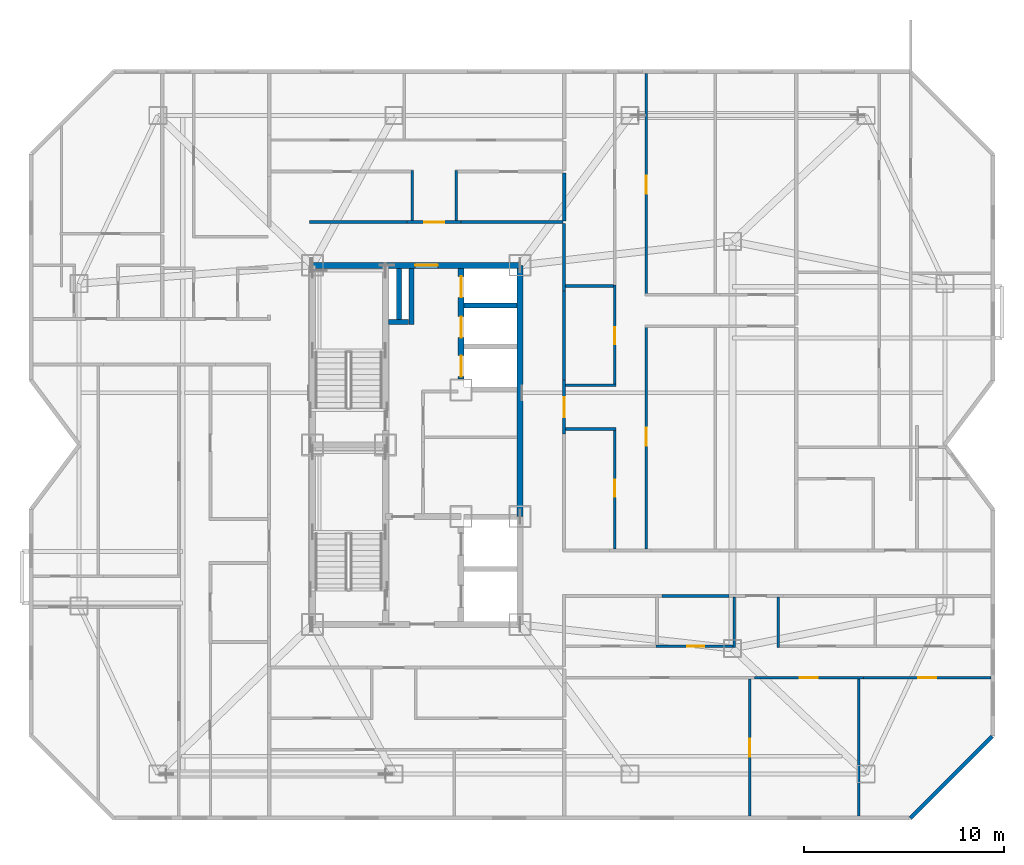
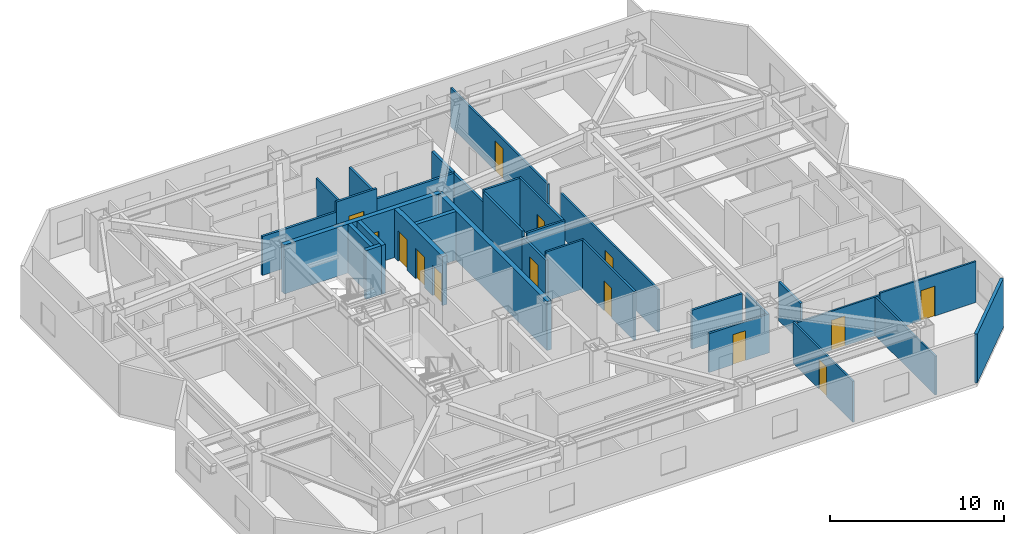
# One storey, part 8 of 12: 32 walls, 14 doors, 14 openings.
"""IFC4 building model written with IfcOpenShell, lengths in metres."""

from ifc_helpers import new_model, si_unit, direction, frame, frame_2d, origin, place, context, subcontext, project, spatial, rectangle, extrude, material, layer, layer_set, type_object, element, fill, save


model = new_model("IFC4")

# Units and contexts
model_context = context("Model", 3, precision=1e-05, world=origin(), true_north=direction((0.0, 1.0)))
body_context = subcontext(model_context, "Body", "Model", "MODEL_VIEW")
ifc_project = project(units=[si_unit("LENGTHUNIT", "METRE"), si_unit("AREAUNIT", "SQUARE_METRE"), si_unit("VOLUMEUNIT", "CUBIC_METRE"), si_unit("PLANEANGLEUNIT", "RADIAN"), si_unit("MASSUNIT", "GRAM", prefix="KILO")], contexts=[model_context])

# Site, building, storey
site_placement = place(None, origin())
site = spatial("IfcSite", under=ifc_project, at=site_placement, CompositionType="ELEMENT")
building_placement = place(site_placement, origin())
building = spatial("IfcBuilding", under=site, at=building_placement, Name="Khamvora Tower", CompositionType="ELEMENT")
storey_placement = place(building_placement, frame((0.0, 0.0, 177.800048828125)))
storey = spatial("IfcBuildingStorey", under=building, at=storey_placement, Name="L45", CompositionType="ELEMENT", Elevation=177.800048828125)

# Wall, opening, door
ifc_material_1 = material(Name="Concrete C50/60", Category="concrete")
ifc_layer_1 = layer(ifc_material_1, 0.300048828125)
ifc_layer_set_1 = layer_set([ifc_layer_1], Name="Concrete C50/60")
wall_type_1 = type_object("IfcWallType", Name="WAL-CORE-300", PredefinedType="SHEAR", material=ifc_layer_set_1)
wall_1_placement = place(storey_placement, frame((29.0, 37.0, 0.0), z_axis=(0.0, 0.0, 1.0), x_axis=(1.0, 0.0, 0.0)))
wall_1 = element("IfcWall", 1, at=wall_1_placement, inside=storey, type_object=wall_type_1, Name="L45 central core north wall", PredefinedType="SHEAR", context=body_context, shape_type="SweptSolid", body=[
    extrude(rectangle(XDim=10.39990234375, YDim=0.300048828125, at=frame_2d((5.199951171875, 0.0))), origin(), (0.0, 0.0, 1.0), 3.429931640625),
])
opening_1_placement = place(wall_1_placement, frame((5.139892578125, 0.0, 0.0)))
opening_1 = element("IfcOpeningElement", 2, at=opening_1_placement, cuts=wall_1, Name="Opening D-SC1", PredefinedType="OPENING", context=body_context, shape_type="SweptSolid", body=[
    extrude(rectangle(XDim=1.14990234375, YDim=2.199951171875, at=frame_2d((0.574951171875, 1.10009765625))), frame((0.0, 0.159912109375, 0.0), z_axis=(0.0, -1.0, 0.0), x_axis=(1.0, 0.0, 0.0)), (0.0, 0.0, 1.0), 0.320068359375),
])
ifc_material_2 = material(Name="Powder-Coated Steel and Hardwood Leaf", Category="steel")
door_type_1 = type_object("IfcDoorType", Name="DOR-SCHL-1150", OperationType="NOTDEFINED", PredefinedType="DOOR", material=ifc_material_2)
door_1_placement = place(opening_1_placement, origin())
door_1 = element("IfcDoor", 3, at=door_1_placement, inside=storey, type_object=door_type_1, Name="L45 north core lobby to corridor fire door", OperationType="SINGLE_SWING_LEFT", OverallHeight=2.199951171875, OverallWidth=1.14990234375, PredefinedType="DOOR", context=body_context, shape_type="SweptSolid", body=[
    extrude(rectangle(XDim=1.14990234375, YDim=2.199951171875, at=frame_2d((0.574951171875, 1.10009765625))), frame((0.0, 0.02490234375, 0.0), z_axis=(0.0, -1.0, 0.0), x_axis=(1.0, 0.0, 0.0)), (0.0, 0.0, 1.0), 0.050048828125),
])
fill(opening_1, door_1)

# Wall
wall_2_placement = place(storey_placement, frame((39.39990234375, 24.39990234375, 0.0), z_axis=(0.0, 0.0, 1.0), x_axis=(0.0, 1.0, 0.0)))
element("IfcWall", 4, at=wall_2_placement, inside=storey, type_object=wall_type_1, Name="L45 central core east north wall", PredefinedType="SHEAR", context=body_context, shape_type="SweptSolid", body=[
    extrude(rectangle(XDim=12.60009765625, YDim=0.300048828125, at=frame_2d((6.300048828125, 0.0))), origin(), (0.0, 0.0, 1.0), 3.429931640625),
])

# Wall, openings, doors
wall_3_placement = place(storey_placement, frame((36.449951171875, 31.300048828125, 0.0), z_axis=(0.0, 0.0, 1.0), x_axis=(0.0, 1.0, 0.0)))
wall_3 = element("IfcWall", 5, at=wall_3_placement, inside=storey, type_object=wall_type_1, Name="L45 central core lift bank central wall", PredefinedType="SHEAR", context=body_context, shape_type="SweptSolid", body=[
    extrude(rectangle(XDim=5.5458984375, YDim=0.300048828125, at=frame_2d((2.77294921875, 0.0))), origin(), (0.0, 0.0, 1.0), 3.429931640625),
])
opening_2_placement = place(wall_3_placement, frame((0.1201171875, 0.0, 0.0)))
opening_2 = element("IfcOpeningElement", 6, at=opening_2_placement, cuts=wall_3, Name="Opening LD-PL", PredefinedType="OPENING", context=body_context, shape_type="SweptSolid", body=[
    extrude(rectangle(XDim=1.050048828125, YDim=2.14990234375, at=frame_2d((0.52490234375, 1.074951171875))), frame((0.0, 0.159912109375, 0.0), z_axis=(0.0, -1.0, 0.0), x_axis=(1.0, 0.0, 0.0)), (0.0, 0.0, 1.0), 0.320068359375),
])
opening_3_placement = place(wall_3_placement, frame((2.074951171875, 0.0, 0.0)))
opening_3 = element("IfcOpeningElement", 7, at=opening_3_placement, cuts=wall_3, Name="Opening LD-PL", PredefinedType="OPENING", context=body_context, shape_type="SweptSolid", body=[
    extrude(rectangle(XDim=1.050048828125, YDim=2.14990234375, at=frame_2d((0.52490234375, 1.074951171875))), frame((0.0, 0.159912109375, 0.0), z_axis=(0.0, -1.0, 0.0), x_axis=(1.0, 0.0, 0.0)), (0.0, 0.0, 1.0), 0.320068359375),
])
opening_4_placement = place(wall_3_placement, frame((4.094970703125, 0.0, 0.0)))
opening_4 = element("IfcOpeningElement", 8, at=opening_4_placement, cuts=wall_3, Name="Opening LD-PL", PredefinedType="OPENING", context=body_context, shape_type="SweptSolid", body=[
    extrude(rectangle(XDim=1.050048828125, YDim=2.14990234375, at=frame_2d((0.52490234375, 1.074951171875))), frame((0.0, 0.159912109375, 0.0), z_axis=(0.0, -1.0, 0.0), x_axis=(1.0, 0.0, 0.0)), (0.0, 0.0, 1.0), 0.320068359375),
])
door_type_2 = type_object("IfcDoorType", Name="DOR-LIFT-1050", OperationType="SLIDING_TO_LEFT", PredefinedType="DOOR", material=ifc_material_2)
door_2_placement = place(opening_2_placement, origin())
door_2 = element("IfcDoor", 9, at=door_2_placement, inside=storey, type_object=door_type_2, Name="L45 lift landing sliding door PH-01", OperationType="SLIDING_TO_LEFT", OverallHeight=2.14990234375, OverallWidth=1.050048828125, PredefinedType="DOOR", context=body_context, shape_type="SweptSolid", body=[
    extrude(rectangle(XDim=1.050048828125, YDim=2.14990234375, at=frame_2d((0.52490234375, 1.074951171875))), frame((0.0, 0.02490234375, 0.0), z_axis=(0.0, -1.0, 0.0), x_axis=(1.0, 0.0, 0.0)), (0.0, 0.0, 1.0), 0.050048828125),
])
fill(opening_2, door_2)
door_3_placement = place(opening_3_placement, origin())
door_3 = element("IfcDoor", 10, at=door_3_placement, inside=storey, type_object=door_type_2, Name="L45 lift landing sliding door PH-02", OperationType="SLIDING_TO_LEFT", OverallHeight=2.14990234375, OverallWidth=1.050048828125, PredefinedType="DOOR", context=body_context, shape_type="SweptSolid", body=[
    extrude(rectangle(XDim=1.050048828125, YDim=2.14990234375, at=frame_2d((0.52490234375, 1.074951171875))), frame((0.0, 0.02490234375, 0.0), z_axis=(0.0, -1.0, 0.0), x_axis=(1.0, 0.0, 0.0)), (0.0, 0.0, 1.0), 0.050048828125),
])
fill(opening_3, door_3)
door_4_placement = place(opening_4_placement, origin())
door_4 = element("IfcDoor", 11, at=door_4_placement, inside=storey, type_object=door_type_2, Name="L45 lift landing sliding door PH-03", OperationType="SLIDING_TO_LEFT", OverallHeight=2.14990234375, OverallWidth=1.050048828125, PredefinedType="DOOR", context=body_context, shape_type="SweptSolid", body=[
    extrude(rectangle(XDim=1.050048828125, YDim=2.14990234375, at=frame_2d((0.52490234375, 1.074951171875))), frame((0.0, 0.02490234375, 0.0), z_axis=(0.0, -1.0, 0.0), x_axis=(1.0, 0.0, 0.0)), (0.0, 0.0, 1.0), 0.050048828125),
])
fill(opening_4, door_4)

# Wall, opening, door
ifc_material_3 = material(Name="Fire-Rated Drywall and Steel Stud", Category="steel")
ifc_layer_2 = layer(ifc_material_3, 0.14990234375)
ifc_layer_set_2 = layer_set([ifc_layer_2], Name="Fire-Rated Drywall and Steel Stud")
wall_type_2 = type_object("IfcWallType", Name="WAL-CORR-150", PredefinedType="STANDARD", material=ifc_layer_set_2)
wall_4_placement = place(storey_placement, frame((33.75, 39.1650390625, 0.0), z_axis=(0.0, 0.0, 1.0), x_axis=(1.0, 0.0, 0.0)))
wall_4 = element("IfcWall", 12, at=wall_4_placement, inside=storey, type_object=wall_type_2, Name="L45 interior partition wall 022", PredefinedType="STANDARD", context=body_context, shape_type="SweptSolid", body=[
    extrude(rectangle(XDim=2.697998046875, YDim=0.14990234375, at=frame_2d((1.34912109375, 0.0))), origin(), (0.0, 0.0, 1.0), 3.429931640625),
])
opening_5_placement = place(wall_4_placement, frame((0.84912109375, 0.0, 0.0)))
opening_5 = element("IfcOpeningElement", 13, at=opening_5_placement, cuts=wall_4, Name="Opening D-U1", PredefinedType="OPENING", context=body_context, shape_type="SweptSolid", body=[
    extrude(rectangle(XDim=1.0, YDim=2.14990234375, at=frame_2d((0.5, 1.074951171875))), frame((0.0, 0.0849609375, 0.0), z_axis=(0.0, -1.0, 0.0), x_axis=(1.0, 0.0, 0.0)), (0.0, 0.0, 1.0), 0.169921875),
])
door_type_3 = type_object("IfcDoorType", Name="DOR-UNIT-1000", OperationType="NOTDEFINED", PredefinedType="DOOR", material=ifc_material_2)
door_5_placement = place(opening_5_placement, origin())
door_5 = element("IfcDoor", 14, at=door_5_placement, inside=storey, type_object=door_type_3, Name="L45 interior door COR-45NAH", OperationType="SINGLE_SWING_RIGHT", OverallHeight=2.14990234375, OverallWidth=1.0, PredefinedType="DOOR", context=body_context, shape_type="SweptSolid", body=[
    extrude(rectangle(XDim=1.0, YDim=2.14990234375, at=frame_2d((0.5, 1.074951171875))), frame((0.0, 0.02490234375, 0.0), z_axis=(0.0, -1.0, 0.0), x_axis=(1.0, 0.0, 0.0)), (0.0, 0.0, 1.0), 0.050048828125),
])
fill(opening_5, door_5)

# Walls
wall_5_placement = place(storey_placement, frame((36.447998046875, 39.1650390625, 0.0), z_axis=(0.0, 0.0, 1.0), x_axis=(1.0, 0.0, 0.0)))
element("IfcWall", 15, at=wall_5_placement, inside=storey, type_object=wall_type_2, Name="L45 interior partition wall 023", PredefinedType="STANDARD", context=body_context, shape_type="SweptSolid", body=[
    extrude(rectangle(XDim=5.10205078125, YDim=0.14990234375, at=frame_2d((2.551025390625, 0.0))), origin(), (0.0, 0.0, 1.0), 2.724853515625),
])
wall_6_placement = place(storey_placement, frame((28.85009765625, 39.1650390625, 0.0), z_axis=(0.0, 0.0, 1.0), x_axis=(1.0, 0.0, 0.0)))
element("IfcWall", 16, at=wall_6_placement, inside=storey, type_object=wall_type_2, Name="L45 interior partition wall 024", PredefinedType="STANDARD", context=body_context, shape_type="SweptSolid", body=[
    extrude(rectangle(XDim=4.89990234375, YDim=0.14990234375, at=frame_2d((2.449951171875, 0.0))), origin(), (0.0, 0.0, 1.0), 2.724853515625),
])
wall_7_placement = place(storey_placement, frame((49.885986328125, 20.43505859375, 0.0), z_axis=(0.0, 0.0, 1.0), x_axis=(-1.0, 0.0, 0.0)))
element("IfcWall", 17, at=wall_7_placement, inside=storey, type_object=wall_type_2, Name="L45 interior partition wall 030", PredefinedType="STANDARD", context=body_context, shape_type="SweptSolid", body=[
    extrude(rectangle(XDim=3.366943359375, YDim=0.14990234375, at=frame_2d((1.68359375, 0.0))), origin(), (0.0, 0.0, 1.0), 2.724853515625),
])
wall_8_placement = place(storey_placement, frame((41.614990234375, 39.10009765625, 0.0), z_axis=(0.0, 0.0, 1.0), x_axis=(0.0, -1.0, 0.0)))
element("IfcWall", 18, at=wall_8_placement, inside=storey, type_object=wall_type_2, Name="L45 interior partition wall 032", PredefinedType="STANDARD", context=body_context, shape_type="SweptSolid", body=[
    extrude(rectangle(XDim=3.39306640625, YDim=0.14990234375, at=frame_2d((1.696533203125, 0.0))), origin(), (0.0, 0.0, 1.0), 2.724853515625),
])

# Wall, opening, door
wall_9_placement = place(storey_placement, frame((41.614990234375, 31.239990234375, 0.0), z_axis=(0.0, 0.0, 1.0), x_axis=(0.0, -1.0, 0.0)))
wall_9 = element("IfcWall", 19, at=wall_9_placement, inside=storey, type_object=wall_type_2, Name="L45 interior partition wall 033", PredefinedType="STANDARD", context=body_context, shape_type="SweptSolid", body=[
    extrude(rectangle(XDim=2.697998046875, YDim=0.14990234375, at=frame_2d((1.34912109375, 0.0))), origin(), (0.0, 0.0, 1.0), 3.012939453125),
])
opening_6_placement = place(wall_9_placement, frame((0.84912109375, 0.0, 0.0)))
opening_6 = element("IfcOpeningElement", 20, at=opening_6_placement, cuts=wall_9, Name="Opening D-U1", PredefinedType="OPENING", context=body_context, shape_type="SweptSolid", body=[
    extrude(rectangle(XDim=1.0, YDim=2.14990234375, at=frame_2d((0.5, 1.074951171875))), frame((0.0, 0.0849609375, 0.0), z_axis=(0.0, -1.0, 0.0), x_axis=(1.0, 0.0, 0.0)), (0.0, 0.0, 1.0), 0.169921875),
])
door_6_placement = place(opening_6_placement, origin())
door_6 = element("IfcDoor", 21, at=door_6_placement, inside=storey, type_object=door_type_3, Name="L45 interior door COR-45EB1H", OperationType="SINGLE_SWING_RIGHT", OverallHeight=2.14990234375, OverallWidth=1.0, PredefinedType="DOOR", context=body_context, shape_type="SweptSolid", body=[
    extrude(rectangle(XDim=1.0, YDim=2.14990234375, at=frame_2d((0.5, 1.074951171875))), frame((0.0, 0.02490234375, 0.0), z_axis=(0.0, -1.0, 0.0), x_axis=(1.0, 0.0, 0.0)), (0.0, 0.0, 1.0), 0.050048828125),
])
fill(opening_6, door_6)

# Walls
wall_10_placement = place(storey_placement, frame((41.614990234375, 35.70703125, 0.0), z_axis=(0.0, 0.0, 1.0), x_axis=(0.0, -1.0, 0.0)))
element("IfcWall", 22, at=wall_10_placement, inside=storey, type_object=wall_type_2, Name="L45 interior partition wall 035", PredefinedType="STANDARD", context=body_context, shape_type="SweptSolid", body=[
    extrude(rectangle(XDim=4.467041015625, YDim=0.14990234375, at=frame_2d((2.2333984375, 0.0))), origin(), (0.0, 0.0, 1.0), 3.429931640625),
])
ifc_material_4 = material(Name="Acoustic Double-Stud Fire Wall", Category="gypsum")
ifc_layer_3 = layer(ifc_material_4, 0.179931640625)
ifc_layer_set_3 = layer_set([ifc_layer_3], Name="Acoustic Double-Stud Fire Wall")
wall_type_3 = type_object("IfcWallType", Name="WAL-CORR-180", PredefinedType="STANDARD", material=ifc_layer_set_3)
wall_11_placement = place(storey_placement, frame((41.614990234375, 41.6298828125, 0.0), z_axis=(0.0, 0.0, 1.0), x_axis=(0.0, -1.0, 0.0)))
element("IfcWall", 23, at=wall_11_placement, inside=storey, type_object=wall_type_3, Name="L45 interior partition wall 097", PredefinedType="STANDARD", context=body_context, shape_type="SweptSolid", body=[
    extrude(rectangle(XDim=2.39990234375, YDim=0.179931640625, at=frame_2d((1.199951171875, 0.0))), origin(), (0.0, 0.0, 1.0), 2.724853515625),
])
ifc_material_5 = material(Name="Precast concrete C40/50", Category="concrete")
ifc_layer_4 = layer(ifc_material_5, 0.199951171875)
ifc_layer_set_4 = layer_set([ifc_layer_4], Name="Precast concrete C40/50")
wall_type_4 = type_object("IfcWallType", Name="WAL-EXT-200", PredefinedType="STANDARD", material=ifc_layer_set_4)
wall_12_placement = place(storey_placement, frame((63.056884765625, 13.39794921875, 0.0), z_axis=(0.0, 0.0, 1.0), x_axis=(-0.707106781187, -0.707106781187, 0.0)))
element("IfcWall", 24, at=wall_12_placement, inside=storey, type_object=wall_type_4, Name="L45 exterior facade wall 13.1", PredefinedType="STANDARD", context=body_context, shape_type="SweptSolid", body=[
    extrude(rectangle(XDim=5.79541015625, YDim=0.199951171875, at=frame_2d((2.897705078125, 0.0))), origin(), (0.0, 0.0, 1.0), 3.429931640625),
])

# Wall, opening, door
ifc_material_6 = material(Name="Gypsum Plasterboard Partition", Category="gypsum")
ifc_layer_5 = layer(ifc_material_6, 0.1201171875)
ifc_layer_set_5 = layer_set([ifc_layer_5], Name="Gypsum Plasterboard Partition")
wall_type_5 = type_object("IfcWallType", Name="WAL-PART-120", PredefinedType="PARTITIONING", material=ifc_layer_set_5)
wall_13_placement = place(storey_placement, frame((56.62109375, 16.324951171875, 0.0), z_axis=(0.0, 0.0, 1.0), x_axis=(-1.0, 0.0, 0.0)))
wall_13 = element("IfcWall", 25, at=wall_13_placement, inside=storey, type_object=wall_type_5, Name="L45 interior partition wall 109", PredefinedType="PARTITIONING", context=body_context, shape_type="SweptSolid", body=[
    extrude(rectangle(XDim=5.462158203125, YDim=0.1201171875, at=frame_2d((2.73095703125, 0.0))), origin(), (0.0, 0.0, 1.0), 2.724853515625),
])
opening_7_placement = place(wall_13_placement, frame((2.302001953125, 0.0, 0.0)))
opening_7 = element("IfcOpeningElement", 26, at=opening_7_placement, cuts=wall_13, Name="Opening D-RM1", PredefinedType="OPENING", context=body_context, shape_type="SweptSolid", body=[
    extrude(rectangle(XDim=0.89990234375, YDim=2.10009765625, at=frame_2d((0.449951171875, 1.050048828125))), frame((0.0, 0.070068359375, 0.0), z_axis=(0.0, -1.0, 0.0), x_axis=(1.0, 0.0, 0.0)), (0.0, 0.0, 1.0), 0.14013671875),
])
door_type_4 = type_object("IfcDoorType", Name="DOR-ROOM-900", OperationType="NOTDEFINED", PredefinedType="DOOR", material=ifc_material_2)
door_7_placement = place(opening_7_placement, origin())
door_7 = element("IfcDoor", 27, at=door_7_placement, inside=storey, type_object=door_type_4, Name="L45 interior door 45EAH-45EAR2", OperationType="SINGLE_SWING_RIGHT", OverallHeight=2.10009765625, OverallWidth=0.89990234375, PredefinedType="DOOR", context=body_context, shape_type="SweptSolid", body=[
    extrude(rectangle(XDim=0.89990234375, YDim=2.10009765625, at=frame_2d((0.449951171875, 1.050048828125))), frame((0.0, 0.02490234375, 0.0), z_axis=(0.0, -1.0, 0.0), x_axis=(1.0, 0.0, 0.0)), (0.0, 0.0, 1.0), 0.050048828125),
])
fill(opening_7, door_7)

wall_14_placement = place(storey_placement, frame((63.008056640625, 16.324951171875, 0.0), z_axis=(0.0, 0.0, 1.0), x_axis=(-1.0, 0.0, 0.0)))
wall_14 = element("IfcWall", 28, at=wall_14_placement, inside=storey, type_object=wall_type_5, Name="L45 interior partition wall 110", PredefinedType="PARTITIONING", context=body_context, shape_type="SweptSolid", body=[
    extrude(rectangle(XDim=6.386962890625, YDim=0.1201171875, at=frame_2d((3.193359375, 0.0))), origin(), (0.0, 0.0, 1.0), 2.8759765625),
])
opening_8_placement = place(wall_14_placement, frame((2.742919921875, 0.0, 0.0)))
opening_8 = element("IfcOpeningElement", 29, at=opening_8_placement, cuts=wall_14, Name="Opening D-RM1", PredefinedType="OPENING", context=body_context, shape_type="SweptSolid", body=[
    extrude(rectangle(XDim=0.89990234375, YDim=2.10009765625, at=frame_2d((0.449951171875, 1.050048828125))), frame((0.0, 0.070068359375, 0.0), z_axis=(0.0, -1.0, 0.0), x_axis=(1.0, 0.0, 0.0)), (0.0, 0.0, 1.0), 0.14013671875),
])
door_8_placement = place(opening_8_placement, origin())
door_8 = element("IfcDoor", 30, at=door_8_placement, inside=storey, type_object=door_type_4, Name="L45 interior door 45EAH-45EAR3", OperationType="SINGLE_SWING_LEFT", OverallHeight=2.10009765625, OverallWidth=0.89990234375, PredefinedType="DOOR", context=body_context, shape_type="SweptSolid", body=[
    extrude(rectangle(XDim=0.89990234375, YDim=2.10009765625, at=frame_2d((0.449951171875, 1.050048828125))), frame((0.0, 0.02490234375, 0.0), z_axis=(0.0, -1.0, 0.0), x_axis=(1.0, 0.0, 0.0)), (0.0, 0.0, 1.0), 0.050048828125),
])
fill(opening_8, door_8)

wall_15_placement = place(storey_placement, frame((50.909912109375, 16.27099609375, 0.0), z_axis=(0.0, 0.0, 1.0), x_axis=(0.0, -1.0, 0.0)))
wall_15 = element("IfcWall", 31, at=wall_15_placement, inside=storey, type_object=wall_type_5, Name="L45 interior partition wall 111", PredefinedType="PARTITIONING", context=body_context, shape_type="SweptSolid", body=[
    extrude(rectangle(XDim=6.87890625, YDim=0.1201171875, at=frame_2d((3.439453125, 0.0))), origin(), (0.0, 0.0, 1.0), 2.8759765625),
])
opening_9_placement = place(wall_15_placement, frame((2.989013671875, 0.0, 0.0)))
opening_9 = element("IfcOpeningElement", 32, at=opening_9_placement, cuts=wall_15, Name="Opening D-RM1", PredefinedType="OPENING", context=body_context, shape_type="SweptSolid", body=[
    extrude(rectangle(XDim=0.89990234375, YDim=2.10009765625, at=frame_2d((0.449951171875, 1.050048828125))), frame((0.0, 0.070068359375, 0.0), z_axis=(0.0, -1.0, 0.0), x_axis=(1.0, 0.0, 0.0)), (0.0, 0.0, 1.0), 0.14013671875),
])
door_9_placement = place(opening_9_placement, origin())
door_9 = element("IfcDoor", 33, at=door_9_placement, inside=storey, type_object=door_type_4, Name="L45 interior door 45EAR1-45EAR2", OperationType="SINGLE_SWING_RIGHT", OverallHeight=2.10009765625, OverallWidth=0.89990234375, PredefinedType="DOOR", context=body_context, shape_type="SweptSolid", body=[
    extrude(rectangle(XDim=0.89990234375, YDim=2.10009765625, at=frame_2d((0.449951171875, 1.050048828125))), frame((0.0, 0.02490234375, 0.0), z_axis=(0.0, -1.0, 0.0), x_axis=(1.0, 0.0, 0.0)), (0.0, 0.0, 1.0), 0.050048828125),
])
fill(opening_9, door_9)

# Wall
wall_16_placement = place(storey_placement, frame((56.3720703125, 16.27099609375, 0.0), z_axis=(0.0, 0.0, 1.0), x_axis=(0.0, -1.0, 0.0)))
element("IfcWall", 34, at=wall_16_placement, inside=storey, type_object=wall_type_5, Name="L45 interior partition wall 112", PredefinedType="PARTITIONING", context=body_context, shape_type="SweptSolid", body=[
    extrude(rectangle(XDim=6.87890625, YDim=0.1201171875, at=frame_2d((3.439453125, 0.0))), origin(), (0.0, 0.0, 1.0), 2.724853515625),
])

# Wall, opening, door
wall_17_placement = place(storey_placement, frame((45.72509765625, 34.014892578125, 0.0), z_axis=(0.0, 0.0, 1.0), x_axis=(0.0, -1.0, 0.0)))
wall_17 = element("IfcWall", 35, at=wall_17_placement, inside=storey, type_object=wall_type_5, Name="L45 interior partition wall 120", PredefinedType="PARTITIONING", context=body_context, shape_type="SweptSolid", body=[
    extrude(rectangle(XDim=11.23486328125, YDim=0.1201171875, at=frame_2d((5.617431640625, 0.0))), origin(), (0.0, 0.0, 1.0), 3.012939453125),
])
opening_10_placement = place(wall_17_placement, frame((5.1669921875, 0.0, 0.0)))
opening_10 = element("IfcOpeningElement", 36, at=opening_10_placement, cuts=wall_17, Name="Opening D-RM1", PredefinedType="OPENING", context=body_context, shape_type="SweptSolid", body=[
    extrude(rectangle(XDim=0.89990234375, YDim=2.10009765625, at=frame_2d((0.449951171875, 1.050048828125))), frame((0.0, 0.070068359375, 0.0), z_axis=(0.0, -1.0, 0.0), x_axis=(1.0, 0.0, 0.0)), (0.0, 0.0, 1.0), 0.14013671875),
])
door_10_placement = place(opening_10_placement, origin())
door_10 = element("IfcDoor", 37, at=door_10_placement, inside=storey, type_object=door_type_4, Name="L45 interior door 45EB1H-45EB1R1", OperationType="SINGLE_SWING_RIGHT", OverallHeight=2.10009765625, OverallWidth=0.89990234375, PredefinedType="DOOR", context=body_context, shape_type="SweptSolid", body=[
    extrude(rectangle(XDim=0.89990234375, YDim=2.10009765625, at=frame_2d((0.449951171875, 1.050048828125))), frame((0.0, 0.02490234375, 0.0), z_axis=(0.0, -1.0, 0.0), x_axis=(1.0, 0.0, 0.0)), (0.0, 0.0, 1.0), 0.050048828125),
])
fill(opening_10, door_10)

wall_18_placement = place(storey_placement, frame((45.72509765625, 46.60791015625, 0.0), z_axis=(0.0, 0.0, 1.0), x_axis=(0.0, -1.0, 0.0)))
wall_18 = element("IfcWall", 38, at=wall_18_placement, inside=storey, type_object=wall_type_5, Name="L45 interior partition wall 122", PredefinedType="PARTITIONING", context=body_context, shape_type="SweptSolid", body=[
    extrude(rectangle(XDim=11.15283203125, YDim=0.1201171875, at=frame_2d((5.576416015625, 0.0))), origin(), (0.0, 0.0, 1.0), 2.724853515625),
])
opening_11_placement = place(wall_18_placement, frame((5.126953125, 0.0, 0.0)))
opening_11 = element("IfcOpeningElement", 39, at=opening_11_placement, cuts=wall_18, Name="Opening D-RM1", PredefinedType="OPENING", context=body_context, shape_type="SweptSolid", body=[
    extrude(rectangle(XDim=0.89990234375, YDim=2.10009765625, at=frame_2d((0.449951171875, 1.050048828125))), frame((0.0, 0.070068359375, 0.0), z_axis=(0.0, -1.0, 0.0), x_axis=(1.0, 0.0, 0.0)), (0.0, 0.0, 1.0), 0.14013671875),
])
door_11_placement = place(opening_11_placement, origin())
door_11 = element("IfcDoor", 40, at=door_11_placement, inside=storey, type_object=door_type_4, Name="L45 interior door 45EB1H-45EB1R3", OperationType="SINGLE_SWING_RIGHT", OverallHeight=2.10009765625, OverallWidth=0.89990234375, PredefinedType="DOOR", context=body_context, shape_type="SweptSolid", body=[
    extrude(rectangle(XDim=0.89990234375, YDim=2.10009765625, at=frame_2d((0.449951171875, 1.050048828125))), frame((0.0, 0.02490234375, 0.0), z_axis=(0.0, -1.0, 0.0), x_axis=(1.0, 0.0, 0.0)), (0.0, 0.0, 1.0), 0.050048828125),
])
fill(opening_11, door_11)

# Walls
ifc_material_7 = material(Name="Concrete C40/50", Category="concrete")
ifc_layer_6 = layer(ifc_material_7, 0.25)
ifc_layer_set_6 = layer_set([ifc_layer_6], Name="Concrete C40/50")
wall_type_6 = type_object("IfcWallType", Name="WAL-PODS-250", PredefinedType="SHEAR", material=ifc_layer_set_6)
wall_19_placement = place(storey_placement, frame((36.60400390625, 34.97509765625, 0.0), z_axis=(0.0, 0.0, 1.0), x_axis=(1.0, 0.0, 0.0)))
element("IfcWall", 41, at=wall_19_placement, inside=storey, type_object=wall_type_6, Name="L45 lift shaft divider wall PH-02", PredefinedType="SHEAR", context=body_context, shape_type="SweptSolid", body=[
    extrude(rectangle(XDim=2.64208984375, YDim=0.25, at=frame_2d((1.321044921875, 0.0))), origin(), (0.0, 0.0, 1.0), 3.429931640625),
])
wall_20_placement = place(storey_placement, frame((33.955078125, 34.02490234375, 0.0), z_axis=(0.0, 0.0, 1.0), x_axis=(0.0, 1.0, 0.0)))
element("IfcWall", 42, at=wall_20_placement, inside=storey, type_object=wall_type_6, Name="L45 vertical MEP riser shaft east enclosure wall", PredefinedType="SHEAR", context=body_context, shape_type="SweptSolid", body=[
    extrude(rectangle(XDim=2.821044921875, YDim=0.25, at=frame_2d((1.41064453125, 0.0))), origin(), (0.0, 0.0, 1.0), 3.429931640625),
])
wall_21_placement = place(storey_placement, frame((32.803955078125, 34.14990234375, 0.0), z_axis=(0.0, 0.0, 1.0), x_axis=(1.0, 0.0, 0.0)))
element("IfcWall", 43, at=wall_21_placement, inside=storey, type_object=wall_type_6, Name="L45 vertical MEP riser shaft south enclosure wall", PredefinedType="SHEAR", context=body_context, shape_type="SweptSolid", body=[
    extrude(rectangle(XDim=1.02197265625, YDim=0.25, at=frame_2d((0.510986328125, 0.0))), origin(), (0.0, 0.0, 1.0), 3.429931640625),
])
wall_22_placement = place(storey_placement, frame((33.340087890625, 34.279052734375, 0.0), z_axis=(0.0, 0.0, 1.0), x_axis=(0.0, 1.0, 0.0)))
element("IfcWall", 44, at=wall_22_placement, inside=storey, type_object=wall_type_6, Name="L45 vertical MEP riser shaft divider enclosure wall", PredefinedType="SHEAR", context=body_context, shape_type="SweptSolid", body=[
    extrude(rectangle(XDim=2.56689453125, YDim=0.25, at=frame_2d((1.283447265625, 0.0))), origin(), (0.0, 0.0, 1.0), 3.429931640625),
])
ifc_material_8 = material(Name="Moisture-Resistant Plasterboard Partition", Category="gypsum")
ifc_layer_7 = layer(ifc_material_8, 0.135009765625)
ifc_layer_set_7 = layer_set([ifc_layer_7], Name="Moisture-Resistant Plasterboard Partition")
wall_type_7 = type_object("IfcWallType", Name="WAL-WET-135", PredefinedType="PARTITIONING", material=ifc_layer_set_7)
for number, where, z_axis, x_axis, name in (
    (45, (36.198974609375, 41.760009765625, 0.0), (0.0, 0.0, 1.0), (0.0, -1.0, 0.0), "L45 interior partition wall 091"),
    (46, (33.9990234375, 39.23193359375, 0.0), (0.0, 0.0, 1.0), (0.0, 1.0, 0.0), "L45 interior partition wall 092"),
):
    element("IfcWall", number, at=place(storey_placement, frame(where, z_axis=z_axis, x_axis=x_axis)), inside=storey, type_object=wall_type_7, Name=name, PredefinedType="PARTITIONING", context=body_context, shape_type="SweptSolid", body=[
        extrude(rectangle(XDim=2.528076171875, YDim=0.135009765625, at=frame_2d((1.26416015625, 0.0))), origin(), (0.0, 0.0, 1.0), 3.429931640625),
    ])

# Wall, opening, door
wall_23_placement = place(storey_placement, frame((46.205078125, 17.905029296875, 0.0), z_axis=(0.0, 0.0, 1.0), x_axis=(1.0, 0.0, 0.0)))
wall_23 = element("IfcWall", 47, at=wall_23_placement, inside=storey, type_object=wall_type_7, Name="L45 interior partition wall 104", PredefinedType="PARTITIONING", context=body_context, shape_type="SweptSolid", body=[
    extrude(rectangle(XDim=3.994873046875, YDim=0.135009765625, at=frame_2d((1.99755859375, 0.0))), origin(), (0.0, 0.0, 1.0), 2.724853515625),
])
opening_12_placement = place(wall_23_placement, frame((1.572998046875, 0.0, 0.0)))
opening_12 = element("IfcOpeningElement", 48, at=opening_12_placement, cuts=wall_23, Name="Opening D-WC1", PredefinedType="OPENING", context=body_context, shape_type="SweptSolid", body=[
    extrude(rectangle(XDim=0.85009765625, YDim=2.10009765625, at=frame_2d((0.425048828125, 1.050048828125))), frame((0.0, 0.077392578125, 0.0), z_axis=(0.0, -1.0, 0.0), x_axis=(1.0, 0.0, 0.0)), (0.0, 0.0, 1.0), 0.155029296875),
])
door_type_5 = type_object("IfcDoorType", Name="DOR-WET-850", OperationType="NOTDEFINED", PredefinedType="DOOR", material=ifc_material_2)
door_12_placement = place(opening_12_placement, origin())
door_12 = element("IfcDoor", 49, at=door_12_placement, inside=storey, type_object=door_type_5, Name="L45 interior door 45EAH-45EAB", OperationType="SINGLE_SWING_LEFT", OverallHeight=2.10009765625, OverallWidth=0.85009765625, PredefinedType="DOOR", context=body_context, shape_type="SweptSolid", body=[
    extrude(rectangle(XDim=0.85009765625, YDim=2.10009765625, at=frame_2d((0.425048828125, 1.050048828125))), frame((0.0, 0.02490234375, 0.0), z_axis=(0.0, -1.0, 0.0), x_axis=(1.0, 0.0, 0.0)), (0.0, 0.0, 1.0), 0.050048828125),
])
fill(opening_12, door_12)

# Walls
for number, where, z_axis, x_axis, name in (
    (50, (50.135009765625, 17.840087890625, 0.0), (0.0, 0.0, 1.0), (0.0, 1.0, 0.0), "L45 interior partition wall 105"),
    (51, (52.3349609375, 20.367919921875, 0.0), (0.0, 0.0, 1.0), (0.0, -1.0, 0.0), "L45 interior partition wall 106"),
):
    element("IfcWall", number, at=place(storey_placement, frame(where, z_axis=z_axis, x_axis=x_axis)), inside=storey, type_object=wall_type_7, Name=name, PredefinedType="PARTITIONING", context=body_context, shape_type="SweptSolid", body=[
        extrude(rectangle(XDim=2.52783203125, YDim=0.135009765625, at=frame_2d((1.263916015625, 0.0))), origin(), (0.0, 0.0, 1.0), 2.724853515625),
    ])
wall_24_placement = place(storey_placement, frame((44.080078125, 35.9560546875, 0.0), z_axis=(0.0, 0.0, 1.0), x_axis=(-1.0, 0.0, 0.0)))
element("IfcWall", 52, at=wall_24_placement, inside=storey, type_object=wall_type_7, Name="L45 interior partition wall 114", PredefinedType="PARTITIONING", context=body_context, shape_type="SweptSolid", body=[
    extrude(rectangle(XDim=2.398193359375, YDim=0.135009765625, at=frame_2d((1.19921875, 0.0))), origin(), (0.0, 0.0, 1.0), 3.429931640625),
])
wall_25_placement = place(storey_placement, frame((41.681884765625, 30.990966796875, 0.0), z_axis=(0.0, 0.0, 1.0), x_axis=(1.0, 0.0, 0.0)))
element("IfcWall", 53, at=wall_25_placement, inside=storey, type_object=wall_type_7, Name="L45 interior partition wall 115", PredefinedType="PARTITIONING", context=body_context, shape_type="SweptSolid", body=[
    extrude(rectangle(XDim=2.528076171875, YDim=0.135009765625, at=frame_2d((1.26416015625, 0.0))), origin(), (0.0, 0.0, 1.0), 3.429931640625),
])

# Wall, opening, door
wall_26_placement = place(storey_placement, frame((44.14501953125, 30.926025390625, 0.0), z_axis=(0.0, 0.0, 1.0), x_axis=(0.0, 1.0, 0.0)))
wall_26 = element("IfcWall", 54, at=wall_26_placement, inside=storey, type_object=wall_type_7, Name="L45 interior partition wall 116", PredefinedType="PARTITIONING", context=body_context, shape_type="SweptSolid", body=[
    extrude(rectangle(XDim=5.094970703125, YDim=0.135009765625, at=frame_2d((2.54736328125, 0.0))), origin(), (0.0, 0.0, 1.0), 3.429931640625),
])
opening_13_placement = place(wall_26_placement, frame((2.123046875, 0.0, 0.0)))
opening_13 = element("IfcOpeningElement", 55, at=opening_13_placement, cuts=wall_26, Name="Opening D-WC1", PredefinedType="OPENING", context=body_context, shape_type="SweptSolid", body=[
    extrude(rectangle(XDim=0.85009765625, YDim=2.10009765625, at=frame_2d((0.425048828125, 1.050048828125))), frame((0.0, 0.077392578125, 0.0), z_axis=(0.0, -1.0, 0.0), x_axis=(1.0, 0.0, 0.0)), (0.0, 0.0, 1.0), 0.155029296875),
])
door_13_placement = place(opening_13_placement, origin())
door_13 = element("IfcDoor", 56, at=door_13_placement, inside=storey, type_object=door_type_5, Name="L45 interior door 45EB1H-45EB1B", OperationType="SINGLE_SWING_RIGHT", OverallHeight=2.10009765625, OverallWidth=0.85009765625, PredefinedType="DOOR", context=body_context, shape_type="SweptSolid", body=[
    extrude(rectangle(XDim=0.85009765625, YDim=2.10009765625, at=frame_2d((0.425048828125, 1.050048828125))), frame((0.0, 0.02490234375, 0.0), z_axis=(0.0, -1.0, 0.0), x_axis=(1.0, 0.0, 0.0)), (0.0, 0.0, 1.0), 0.050048828125),
])
fill(opening_13, door_13)

wall_27_placement = place(storey_placement, frame((44.14501953125, 22.780029296875, 0.0), z_axis=(0.0, 0.0, 1.0), x_axis=(0.0, 1.0, 0.0)))
wall_27 = element("IfcWall", 57, at=wall_27_placement, inside=storey, type_object=wall_type_7, Name="L45 interior partition wall 117", PredefinedType="PARTITIONING", context=body_context, shape_type="SweptSolid", body=[
    extrude(rectangle(XDim=6.075927734375, YDim=0.135009765625, at=frame_2d((3.0380859375, 0.0))), origin(), (0.0, 0.0, 1.0), 3.429931640625),
])
opening_14_placement = place(wall_27_placement, frame((2.613037109375, 0.0, 0.0)))
opening_14 = element("IfcOpeningElement", 58, at=opening_14_placement, cuts=wall_27, Name="Opening D-RM2", PredefinedType="OPENING", context=body_context, shape_type="SweptSolid", body=[
    extrude(rectangle(XDim=0.85009765625, YDim=2.10009765625, at=frame_2d((0.425048828125, 1.050048828125))), frame((0.0, 0.077392578125, 0.0), z_axis=(0.0, -1.0, 0.0), x_axis=(1.0, 0.0, 0.0)), (0.0, 0.0, 1.0), 0.155029296875),
])
door_type_6 = type_object("IfcDoorType", Name="DOR-ROOM-850", OperationType="NOTDEFINED", PredefinedType="DOOR", material=ifc_material_2)
door_14_placement = place(opening_14_placement, origin())
door_14 = element("IfcDoor", 59, at=door_14_placement, inside=storey, type_object=door_type_6, Name="L45 interior door 45EB1H-45EB1K", OperationType="SINGLE_SWING_LEFT", OverallHeight=2.10009765625, OverallWidth=0.85009765625, PredefinedType="DOOR", context=body_context, shape_type="SweptSolid", body=[
    extrude(rectangle(XDim=0.85009765625, YDim=2.10009765625, at=frame_2d((0.425048828125, 1.050048828125))), frame((0.0, 0.02490234375, 0.0), z_axis=(0.0, -1.0, 0.0), x_axis=(1.0, 0.0, 0.0)), (0.0, 0.0, 1.0), 0.050048828125),
])
fill(opening_14, door_14)

# Wall
wall_28_placement = place(storey_placement, frame((44.2099609375, 28.791015625, 0.0), z_axis=(0.0, 0.0, 1.0), x_axis=(-1.0, 0.0, 0.0)))
element("IfcWall", 60, at=wall_28_placement, inside=storey, type_object=wall_type_7, Name="L45 interior partition wall 118", PredefinedType="PARTITIONING", context=body_context, shape_type="SweptSolid", body=[
    extrude(rectangle(XDim=2.528076171875, YDim=0.135009765625, at=frame_2d((1.26416015625, 0.0))), origin(), (0.0, 0.0, 1.0), 3.429931640625),
])

save(model, "model.ifc")
